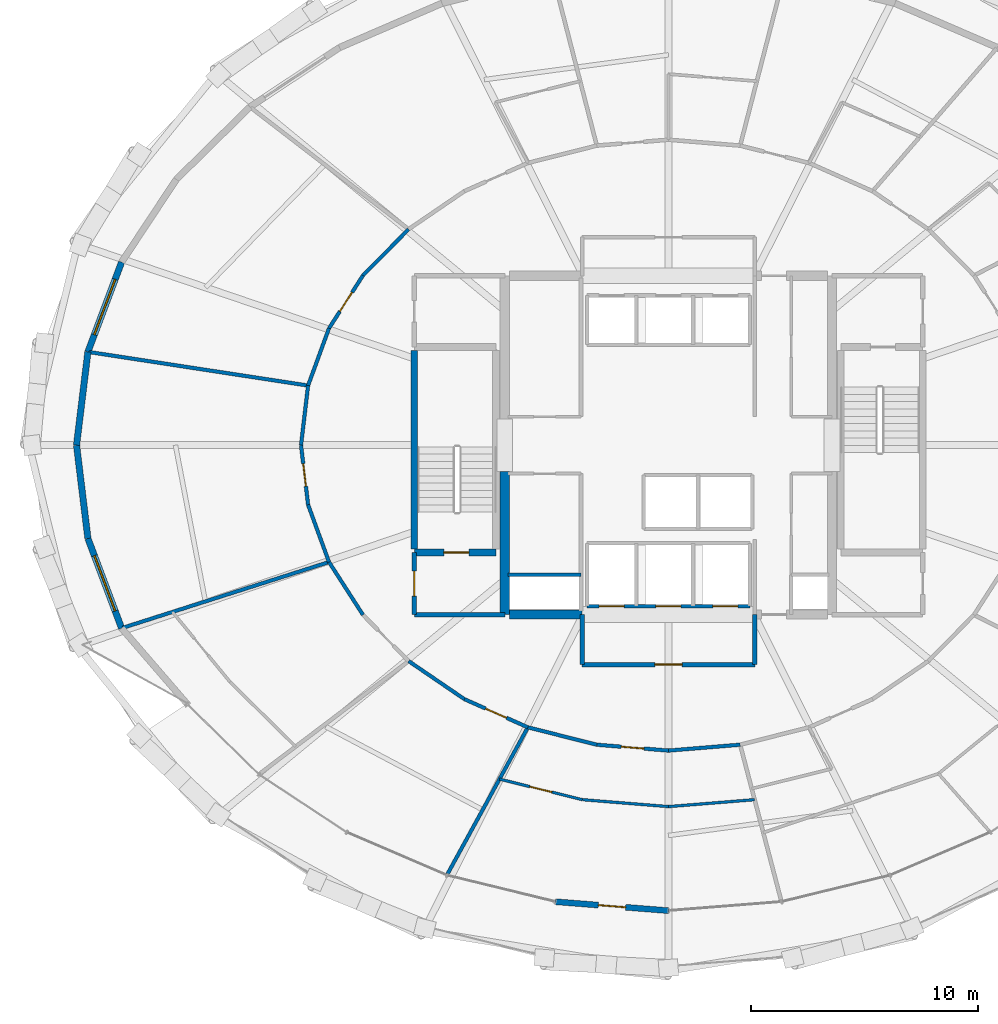
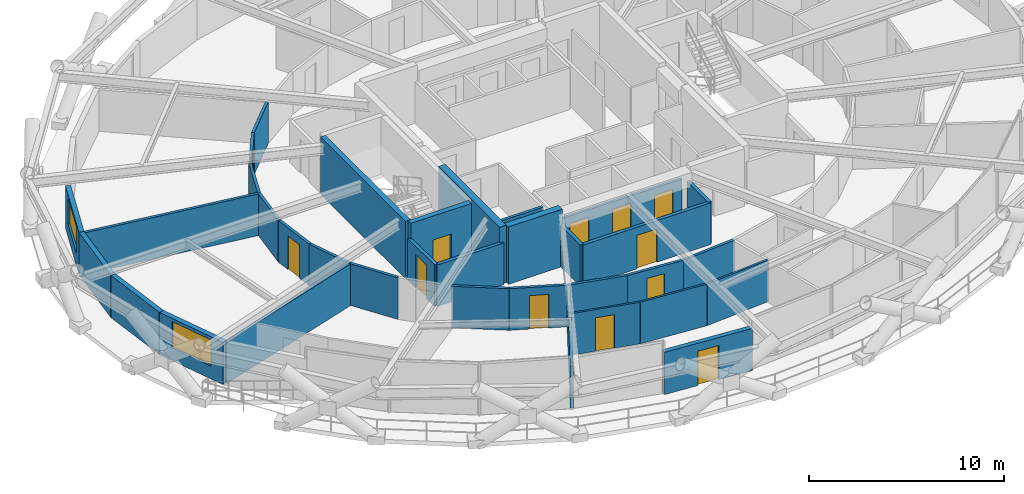
# One storey, part 12 of 18: 34 walls, 12 doors, 2 windows, 14 openings.
"""IFC4 building model written with IfcOpenShell, lengths in metres."""

from ifc_helpers import new_model, si_unit, direction, frame, frame_2d, origin, place, context, subcontext, project, spatial, rectangle, extrude, material, layer, layer_set, type_object, element, fill, save


model = new_model("IFC4")

# Units and contexts
model_context = context("Model", 3, precision=1e-05, world=origin(), true_north=direction((0.0, 1.0)))
body_context = subcontext(model_context, "Body", "Model", "MODEL_VIEW")
ifc_project = project(units=[si_unit("LENGTHUNIT", "METRE"), si_unit("AREAUNIT", "SQUARE_METRE"), si_unit("VOLUMEUNIT", "CUBIC_METRE"), si_unit("PLANEANGLEUNIT", "RADIAN"), si_unit("MASSUNIT", "GRAM", prefix="KILO")], contexts=[model_context])

# Site, building, storey
site_placement = place(None, origin())
site = spatial("IfcSite", under=ifc_project, at=site_placement, CompositionType="ELEMENT")
building_placement = place(site_placement, origin())
building = spatial("IfcBuilding", under=site, at=building_placement, Name="Veldorina Hangang Commons", CompositionType="ELEMENT")
storey_placement = place(building_placement, frame((0.0, 0.0, 41.199951171875)))
storey = spatial("IfcBuildingStorey", under=building, at=storey_placement, Name="L09", CompositionType="ELEMENT", Elevation=41.199951171875)

# Walls
ifc_material_1 = material(Name="Concrete C70/85", Category="concrete")
ifc_layer_1 = layer(ifc_material_1, 0.39990234375)
ifc_layer_set_1 = layer_set([ifc_layer_1], Name="Concrete C70/85")
wall_type_1 = type_object("IfcWallType", Name="CW-RC400-C70", PredefinedType="SHEAR", material=ifc_layer_set_1)
wall_1_placement = place(storey_placement, frame((24.800048828125, 16.550048828125, 0.0), z_axis=(0.0, 0.0, 1.0), x_axis=(0.0, 1.0, 0.0)))
element("IfcWall", 1, at=wall_1_placement, inside=storey, type_object=wall_type_1, Name="L09 W south core shear wall", PredefinedType="SHEAR", context=body_context, shape_type="SweptSolid", body=[
    extrude(rectangle(XDim=6.300048828125, YDim=0.39990234375, at=frame_2d((3.14990234375, 0.0))), origin(), (0.0, 0.0, 1.0), 3.60009765625),
])
wall_2_placement = place(storey_placement, frame((25.0, 16.550048828125, 0.0), z_axis=(0.0, 0.0, 1.0), x_axis=(1.0, 0.0, 0.0)))
element("IfcWall", 2, at=wall_2_placement, inside=storey, type_object=wall_type_1, Name="L09 south-west core shear wall", PredefinedType="SHEAR", context=body_context, shape_type="SweptSolid", body=[
    extrude(rectangle(XDim=3.199951171875, YDim=0.39990234375, at=frame_2d((1.60009765625, 0.0))), origin(), (0.0, 0.0, 1.0), 3.60009765625),
])

# Wall, opening, door
ifc_material_2 = material(Name="Stone Roman Travertine", Category="masonry")
ifc_layer_2 = layer(ifc_material_2, 0.260009765625)
ifc_layer_set_2 = layer_set([ifc_layer_2], Name="Stone Roman Travertine")
wall_type_2 = type_object("IfcWallType", Name="EW-LOGGIA-260", PredefinedType="STANDARD", material=ifc_layer_set_2)
wall_3_placement = place(storey_placement, frame((27.030029296875, 3.91796875, 0.0), z_axis=(0.0, 0.0, 1.0), x_axis=(0.996883267979, -0.078890747395, 0.0)))
wall_3 = element("IfcWall", 3, at=wall_3_placement, inside=storey, type_object=wall_type_2, Name="L09 sky-garden loggia portal wall 23", PredefinedType="STANDARD", context=body_context, shape_type="SweptSolid", body=[
    extrude(rectangle(XDim=4.985595703125, YDim=0.260009765625, at=frame_2d((2.49267578125, 0.0))), origin(), (0.0, 0.0, 1.0), 2.650146484375),
])
opening_1_placement = place(wall_3_placement, frame((1.892822265625, 0.0, 0.0)))
opening_1 = element("IfcOpeningElement", 4, at=opening_1_placement, cuts=wall_3, Name="Opening BD-1200", PredefinedType="OPENING", context=body_context, shape_type="SweptSolid", body=[
    extrude(rectangle(XDim=1.199951171875, YDim=2.14990234375, at=frame_2d((0.60009765625, 1.074951171875))), frame((0.0, 0.14013671875, 0.0), z_axis=(0.0, -1.0, 0.0), x_axis=(1.0, 0.0, 0.0)), (0.0, 0.0, 1.0), 0.280029296875),
])
ifc_material_3 = material(Name="Glass Thermal Aluminium Frame", Category="aluminium")
door_type_1 = type_object("IfcDoorType", Name="DR-EXT-LOG1200", OperationType="SINGLE_SWING_LEFT", PredefinedType="DOOR", material=ifc_material_3)
door_1_placement = place(opening_1_placement, origin())
door_1 = element("IfcDoor", 5, at=door_1_placement, inside=storey, type_object=door_type_1, Name="L09 loggia glazed exterior door 23", OperationType="SINGLE_SWING_RIGHT", OverallHeight=2.14990234375, OverallWidth=1.199951171875, PredefinedType="DOOR", context=body_context, shape_type="SweptSolid", body=[
    extrude(rectangle(XDim=1.199951171875, YDim=2.14990234375, at=frame_2d((0.60009765625, 1.074951171875))), frame((0.0, 0.02490234375, 0.0), z_axis=(0.0, -1.0, 0.0), x_axis=(1.0, 0.0, 0.0)), (0.0, 0.0, 1.0), 0.050048828125),
])
fill(opening_1, door_1)

# Wall, opening, window
ifc_layer_3 = layer(ifc_material_2, 0.280029296875)
ifc_layer_set_3 = layer_set([ifc_layer_3], Name="Stone Roman Travertine")
wall_type_3 = type_object("IfcWallType", Name="EW-TRAV-280", PredefinedType="STANDARD", material=ifc_layer_set_3)
wall_4_placement = place(storey_placement, frame((7.9462890625, 32.0498046875, 0.0), z_axis=(0.0, 0.0, 1.0), x_axis=(-0.351472537915, -0.936198192207, 0.0)))
wall_4 = element("IfcWall", 6, at=wall_4_placement, inside=storey, type_object=wall_type_3, Name="L09 travertine facade wall 14", PredefinedType="STANDARD", context=body_context, shape_type="SweptSolid", body=[
    extrude(rectangle(XDim=4.215087890625, YDim=0.280029296875, at=frame_2d((2.107421875, 0.0))), origin(), (0.0, 0.0, 1.0), 2.650146484375),
])
opening_2_placement = place(wall_4_placement, frame((0.8076171875, 0.0, 0.800048828125)))
opening_2 = element("IfcOpeningElement", 7, at=opening_2_placement, cuts=wall_4, Name="Opening W-02", PredefinedType="OPENING", context=body_context, shape_type="SweptSolid", body=[
    extrude(rectangle(XDim=2.60009765625, YDim=1.64990234375, at=frame_2d((1.300048828125, 0.824951171875))), frame((0.0, 0.14990234375, 0.0), z_axis=(0.0, -1.0, 0.0), x_axis=(1.0, 0.0, 0.0)), (0.0, 0.0, 1.0), 0.300048828125),
])
ifc_material_4 = material(Name="Glass Low-E Triple IGU", Category="glass")
window_type = type_object("IfcWindowType", Name="WIN-TWR-2600", PartitioningType="SINGLE_PANEL", PredefinedType="WINDOW", material=ifc_material_4)
window_1_placement = place(opening_2_placement, origin())
window_1 = element("IfcWindow", 8, at=window_1_placement, inside=storey, type_object=window_type, Name="L09 facade window 14", OverallHeight=1.64990234375, OverallWidth=2.60009765625, PartitioningType="SINGLE_PANEL", PredefinedType="WINDOW", context=body_context, shape_type="SweptSolid", body=[
    extrude(rectangle(XDim=2.60009765625, YDim=1.64990234375, at=frame_2d((1.300048828125, 0.824951171875))), frame((0.0, 0.030029296875, 0.0), z_axis=(0.0, -1.0, 0.0), x_axis=(1.0, 0.0, 0.0)), (0.0, 0.0, 1.0), 0.06005859375),
])
fill(opening_2, window_1)

# Walls
for number, where, z_axis, x_axis, name in (
    (9, (6.46484375, 28.103759765625, 0.0), (0.0, 0.0, 1.0), (-0.121003282019, -0.992652107105, 0.0), "L09 travertine facade wall 15"),
    (10, (5.964599609375, 24.0, 0.0), (0.0, 0.0, 1.0), (0.121003282019, -0.992652107105, 0.0), "L09 travertine facade wall 16"),
):
    element("IfcWall", number, at=place(storey_placement, frame(where, z_axis=z_axis, x_axis=x_axis)), inside=storey, type_object=wall_type_3, Name=name, PredefinedType="STANDARD", context=body_context, shape_type="SweptSolid", body=[
        extrude(rectangle(XDim=4.134033203125, YDim=0.280029296875, at=frame_2d((2.06689453125, 0.0))), origin(), (0.0, 0.0, 1.0), 2.650146484375),
    ])

# Wall, opening, window
wall_5_placement = place(storey_placement, frame((6.46484375, 19.896240234375, 0.0), z_axis=(0.0, 0.0, 1.0), x_axis=(0.351472537915, -0.936198192207, 0.0)))
wall_5 = element("IfcWall", 11, at=wall_5_placement, inside=storey, type_object=wall_type_3, Name="L09 travertine facade wall 17", PredefinedType="STANDARD", context=body_context, shape_type="SweptSolid", body=[
    extrude(rectangle(XDim=4.215087890625, YDim=0.280029296875, at=frame_2d((2.107421875, 0.0))), origin(), (0.0, 0.0, 1.0), 2.650146484375),
])
opening_3_placement = place(wall_5_placement, frame((0.8076171875, 0.0, 0.800048828125)))
opening_3 = element("IfcOpeningElement", 12, at=opening_3_placement, cuts=wall_5, Name="Opening W-02", PredefinedType="OPENING", context=body_context, shape_type="SweptSolid", body=[
    extrude(rectangle(XDim=2.60009765625, YDim=1.64990234375, at=frame_2d((1.300048828125, 0.824951171875))), frame((0.0, 0.14990234375, 0.0), z_axis=(0.0, -1.0, 0.0), x_axis=(1.0, 0.0, 0.0)), (0.0, 0.0, 1.0), 0.300048828125),
])
window_2_placement = place(opening_3_placement, origin())
window_2 = element("IfcWindow", 13, at=window_2_placement, inside=storey, type_object=window_type, Name="L09 facade window 17", OverallHeight=1.64990234375, OverallWidth=2.60009765625, PartitioningType="SINGLE_PANEL", PredefinedType="WINDOW", context=body_context, shape_type="SweptSolid", body=[
    extrude(rectangle(XDim=2.60009765625, YDim=1.64990234375, at=frame_2d((1.300048828125, 0.824951171875))), frame((0.0, 0.030029296875, 0.0), z_axis=(0.0, -1.0, 0.0), x_axis=(1.0, 0.0, 0.0)), (0.0, 0.0, 1.0), 0.06005859375),
])
fill(opening_3, window_2)

# Wall
ifc_material_5 = material(Name="Concrete C50/60", Category="concrete")
ifc_layer_4 = layer(ifc_material_5, 0.300048828125)
ifc_layer_set_4 = layer_set([ifc_layer_4], Name="Concrete C50/60")
wall_type_4 = type_object("IfcWallType", Name="SW-STAIR-300", PredefinedType="SHEAR", material=ifc_layer_set_4)
wall_6_placement = place(storey_placement, frame((20.820068359375, 19.429931640625, 0.0), z_axis=(0.0, 0.0, 1.0), x_axis=(0.0, 1.0, 0.0)))
element("IfcWall", 14, at=wall_6_placement, inside=storey, type_object=wall_type_4, Name="L09 ST1 outer stair shear wall", PredefinedType="SHEAR", context=body_context, shape_type="SweptSolid", body=[
    extrude(rectangle(XDim=8.739990234375, YDim=0.300048828125, at=frame_2d((4.3701171875, 0.0))), origin(), (0.0, 0.0, 1.0), 3.60009765625),
])

# Wall, opening, door
wall_7_placement = place(storey_placement, frame((20.820068359375, 19.280029296875, 0.0), z_axis=(0.0, 0.0, 1.0), x_axis=(1.0, 0.0, 0.0)))
wall_7 = element("IfcWall", 15, at=wall_7_placement, inside=storey, type_object=wall_type_4, Name="L09 ST1 south stair shear wall", PredefinedType="SHEAR", context=body_context, shape_type="SweptSolid", body=[
    extrude(rectangle(XDim=3.599853515625, YDim=0.300048828125, at=frame_2d((1.7998046875, 0.0))), origin(), (0.0, 0.0, 1.0), 3.60009765625),
])
opening_4_placement = place(wall_7_placement, frame((1.300048828125, 0.0, 0.0)))
opening_4 = element("IfcOpeningElement", 16, at=opening_4_placement, cuts=wall_7, Name="Opening D-08", PredefinedType="OPENING", context=body_context, shape_type="SweptSolid", body=[
    extrude(rectangle(XDim=1.10009765625, YDim=2.10009765625, at=frame_2d((0.550048828125, 1.050048828125))), frame((0.0, 0.16015625, 0.0), z_axis=(0.0, -1.0, 0.0), x_axis=(1.0, 0.0, 0.0)), (0.0, 0.0, 1.0), 0.320068359375),
])
ifc_material_6 = material(Name="Steel Fire-Rated Smoke Seal", Category="steel")
door_type_2 = type_object("IfcDoorType", Name="DR-FIRE-1100", OperationType="SINGLE_SWING_RIGHT", PredefinedType="DOOR", material=ifc_material_6)
door_2_placement = place(opening_4_placement, origin())
door_2 = element("IfcDoor", 17, at=door_2_placement, inside=storey, type_object=door_type_2, Name="L09 Special Escape Stair ST-1 door", OperationType="SINGLE_SWING_LEFT", OverallHeight=2.10009765625, OverallWidth=1.10009765625, PredefinedType="DOOR", context=body_context, shape_type="SweptSolid", body=[
    extrude(rectangle(XDim=1.10009765625, YDim=2.10009765625, at=frame_2d((0.550048828125, 1.050048828125))), frame((0.0, 0.02490234375, 0.0), z_axis=(0.0, -1.0, 0.0), x_axis=(1.0, 0.0, 0.0)), (0.0, 0.0, 1.0), 0.050048828125),
])
fill(opening_4, door_2)

# Wall, openings, doors
ifc_material_7 = material(Name="Gypsum Fire-Rated Twin Stud Wall", Category="gypsum")
ifc_layer_5 = layer(ifc_material_7, 0.159912109375)
ifc_layer_set_5 = layer_set([ifc_layer_5], Name="Gypsum Fire-Rated Twin Stud Wall")
wall_type_5 = type_object("IfcWallType", Name="WL-FIRE-160", PredefinedType="SOLIDWALL", material=ifc_layer_set_5)
wall_8_placement = place(storey_placement, frame((28.419921875, 16.919921875, 0.0), z_axis=(0.0, 0.0, 1.0), x_axis=(1.0, 0.0, 0.0)))
wall_8 = element("IfcWall", 18, at=wall_8_placement, inside=storey, type_object=wall_type_5, Name="L09 Emergency front shaft wall 026", PredefinedType="SOLIDWALL", context=body_context, shape_type="SweptSolid", body=[
    extrude(rectangle(XDim=7.16015625, YDim=0.159912109375, at=frame_2d((3.580078125, 0.0))), origin(), (0.0, 0.0, 1.0), 2.610107421875),
])
opening_5_placement = place(wall_8_placement, frame((0.530029296875, 0.0, 0.0)))
opening_5 = element("IfcOpeningElement", 19, at=opening_5_placement, cuts=wall_8, Name="Opening LD-03", PredefinedType="OPENING", context=body_context, shape_type="SweptSolid", body=[
    extrude(rectangle(XDim=1.10009765625, YDim=2.14990234375, at=frame_2d((0.550048828125, 1.074951171875))), frame((0.0, 0.08984375, 0.0), z_axis=(0.0, -1.0, 0.0), x_axis=(1.0, 0.0, 0.0)), (0.0, 0.0, 1.0), 0.179931640625),
])
opening_6_placement = place(wall_8_placement, frame((3.030029296875, 0.0, 0.0)))
opening_6 = element("IfcOpeningElement", 20, at=opening_6_placement, cuts=wall_8, Name="Opening LD-03", PredefinedType="OPENING", context=body_context, shape_type="SweptSolid", body=[
    extrude(rectangle(XDim=1.10009765625, YDim=2.14990234375, at=frame_2d((0.550048828125, 1.074951171875))), frame((0.0, 0.08984375, 0.0), z_axis=(0.0, -1.0, 0.0), x_axis=(1.0, 0.0, 0.0)), (0.0, 0.0, 1.0), 0.179931640625),
])
opening_7_placement = place(wall_8_placement, frame((5.530029296875, 0.0, 0.0)))
opening_7 = element("IfcOpeningElement", 21, at=opening_7_placement, cuts=wall_8, Name="Opening LD-03", PredefinedType="OPENING", context=body_context, shape_type="SweptSolid", body=[
    extrude(rectangle(XDim=1.10009765625, YDim=2.14990234375, at=frame_2d((0.550048828125, 1.074951171875))), frame((0.0, 0.08984375, 0.0), z_axis=(0.0, -1.0, 0.0), x_axis=(1.0, 0.0, 0.0)), (0.0, 0.0, 1.0), 0.179931640625),
])
ifc_material_8 = material(Name="Stainless Steel Firefighting Lift Door", Category="steel")
door_type_3 = type_object("IfcDoorType", Name="DR-LIFT-FF1100", OperationType="SLIDING_TO_RIGHT", PredefinedType="DOOR", material=ifc_material_8)
door_3_placement = place(opening_5_placement, origin())
door_3 = element("IfcDoor", 22, at=door_3_placement, inside=storey, type_object=door_type_3, Name="L09 Emergency lift FFL-1 landing door 009", OperationType="SLIDING_TO_RIGHT", OverallHeight=2.14990234375, OverallWidth=1.10009765625, PredefinedType="DOOR", context=body_context, shape_type="SweptSolid", body=[
    extrude(rectangle(XDim=1.10009765625, YDim=2.14990234375, at=frame_2d((0.550048828125, 1.074951171875))), frame((0.0, 0.02490234375, 0.0), z_axis=(0.0, -1.0, 0.0), x_axis=(1.0, 0.0, 0.0)), (0.0, 0.0, 1.0), 0.050048828125),
])
fill(opening_5, door_3)
door_4_placement = place(opening_6_placement, origin())
door_4 = element("IfcDoor", 23, at=door_4_placement, inside=storey, type_object=door_type_3, Name="L09 Emergency lift FFL-2 landing door 010", OperationType="SLIDING_TO_RIGHT", OverallHeight=2.14990234375, OverallWidth=1.10009765625, PredefinedType="DOOR", context=body_context, shape_type="SweptSolid", body=[
    extrude(rectangle(XDim=1.10009765625, YDim=2.14990234375, at=frame_2d((0.550048828125, 1.074951171875))), frame((0.0, 0.02490234375, 0.0), z_axis=(0.0, -1.0, 0.0), x_axis=(1.0, 0.0, 0.0)), (0.0, 0.0, 1.0), 0.050048828125),
])
fill(opening_6, door_4)
door_5_placement = place(opening_7_placement, origin())
door_5 = element("IfcDoor", 24, at=door_5_placement, inside=storey, type_object=door_type_3, Name="L09 Emergency lift EVL-1 landing door 011", OperationType="SLIDING_TO_RIGHT", OverallHeight=2.14990234375, OverallWidth=1.10009765625, PredefinedType="DOOR", context=body_context, shape_type="SweptSolid", body=[
    extrude(rectangle(XDim=1.10009765625, YDim=2.14990234375, at=frame_2d((0.550048828125, 1.074951171875))), frame((0.0, 0.02490234375, 0.0), z_axis=(0.0, -1.0, 0.0), x_axis=(1.0, 0.0, 0.0)), (0.0, 0.0, 1.0), 0.050048828125),
])
fill(opening_7, door_5)

# Walls
wall_9_placement = place(storey_placement, frame((24.949951171875, 18.300048828125, 0.0), z_axis=(0.0, 0.0, 1.0), x_axis=(1.0, 0.0, 0.0)))
element("IfcWall", 25, at=wall_9_placement, inside=storey, type_object=wall_type_5, Name="L09 Electrical riser wall 035", PredefinedType="SOLIDWALL", context=body_context, shape_type="SweptSolid", body=[
    extrude(rectangle(XDim=3.199951171875, YDim=0.159912109375, at=frame_2d((1.60009765625, 0.0))), origin(), (0.0, 0.0, 1.0), 2.610107421875),
])
wall_10_placement = place(storey_placement, frame((20.57177734375, 33.499267578125, 0.0), z_axis=(0.0, 0.0, 1.0), x_axis=(-0.702569520063, -0.711615113301, 0.0)))
element("IfcWall", 26, at=wall_10_placement, inside=storey, type_object=wall_type_5, Name="L09 Corridor outer wall 12 057", PredefinedType="SOLIDWALL", context=body_context, shape_type="SweptSolid", body=[
    extrude(rectangle(XDim=2.86083984375, YDim=0.159912109375, at=frame_2d((1.430419921875, 0.0))), origin(), (0.0, 0.0, 1.0), 2.610107421875),
])

# Wall, opening, door
wall_11_placement = place(storey_placement, frame((18.561767578125, 31.46337890625, 0.0), z_axis=(0.0, 0.0, 1.0), x_axis=(-0.540891657444, -0.841092274907, 0.0)))
wall_11 = element("IfcWall", 27, at=wall_11_placement, inside=storey, type_object=wall_type_5, Name="L09 Corridor outer wall 13 058", PredefinedType="SOLIDWALL", context=body_context, shape_type="SweptSolid", body=[
    extrude(rectangle(XDim=2.760986328125, YDim=0.159912109375, at=frame_2d((1.38037109375, 0.0))), origin(), (0.0, 0.0, 1.0), 2.610107421875),
])
opening_8_placement = place(wall_11_placement, frame((0.880615234375, 0.0, 0.0)))
opening_8 = element("IfcOpeningElement", 28, at=opening_8_placement, cuts=wall_11, Name="Opening D-05", PredefinedType="OPENING", context=body_context, shape_type="SweptSolid", body=[
    extrude(rectangle(XDim=1.0, YDim=2.10009765625, at=frame_2d((0.5, 1.050048828125))), frame((0.0, 0.08984375, 0.0), z_axis=(0.0, -1.0, 0.0), x_axis=(1.0, 0.0, 0.0)), (0.0, 0.0, 1.0), 0.179931640625),
])
ifc_material_9 = material(Name="Timber Solid Core Acoustic", Category="wood")
door_type_4 = type_object("IfcDoorType", Name="DR-INT-1000", OperationType="SINGLE_SWING_RIGHT", PredefinedType="DOOR", material=ifc_material_9)
door_6_placement = place(opening_8_placement, origin())
door_6 = element("IfcDoor", 29, at=door_6_placement, inside=storey, type_object=door_type_4, Name="L09 Floor Study Room 10 door 037", OperationType="SINGLE_SWING_LEFT", OverallHeight=2.10009765625, OverallWidth=1.0, PredefinedType="DOOR", context=body_context, shape_type="SweptSolid", body=[
    extrude(rectangle(XDim=1.0, YDim=2.10009765625, at=frame_2d((0.5, 1.050048828125))), frame((0.0, 0.02490234375, 0.0), z_axis=(0.0, -1.0, 0.0), x_axis=(1.0, 0.0, 0.0)), (0.0, 0.0, 1.0), 0.050048828125),
])
fill(opening_8, door_6)

# Walls
wall_12_placement = place(storey_placement, frame((17.068359375, 29.14111328125, 0.0), z_axis=(0.0, 0.0, 1.0), x_axis=(-0.342882618672, -0.939378257047, 0.0)))
element("IfcWall", 30, at=wall_12_placement, inside=storey, type_object=wall_type_5, Name="L09 Corridor outer wall 14 059", PredefinedType="SOLIDWALL", context=body_context, shape_type="SweptSolid", body=[
    extrude(rectangle(XDim=2.682861328125, YDim=0.159912109375, at=frame_2d((1.34130859375, 0.0))), origin(), (0.0, 0.0, 1.0), 2.610107421875),
])
wall_13_placement = place(storey_placement, frame((16.1484375, 26.620849609375, 0.0), z_axis=(0.0, 0.0, 1.0), x_axis=(-0.117667763342, -0.993053018459, 0.0)))
element("IfcWall", 31, at=wall_13_placement, inside=storey, type_object=wall_type_5, Name="L09 Corridor outer wall 15 060", PredefinedType="SOLIDWALL", context=body_context, shape_type="SweptSolid", body=[
    extrude(rectangle(XDim=2.63916015625, YDim=0.159912109375, at=frame_2d((1.319580078125, 0.0))), origin(), (0.0, 0.0, 1.0), 2.610107421875),
])

# Wall, opening, door
wall_14_placement = place(storey_placement, frame((15.837890625, 24.0, 0.0), z_axis=(0.0, 0.0, 1.0), x_axis=(0.117667763342, -0.993053018459, 0.0)))
wall_14 = element("IfcWall", 32, at=wall_14_placement, inside=storey, type_object=wall_type_5, Name="L09 Corridor outer wall 16 061", PredefinedType="SOLIDWALL", context=body_context, shape_type="SweptSolid", body=[
    extrude(rectangle(XDim=2.63916015625, YDim=0.159912109375, at=frame_2d((1.319580078125, 0.0))), origin(), (0.0, 0.0, 1.0), 2.610107421875),
])
opening_9_placement = place(wall_14_placement, frame((0.819580078125, 0.0, 0.0)))
opening_9 = element("IfcOpeningElement", 33, at=opening_9_placement, cuts=wall_14, Name="Opening D-05", PredefinedType="OPENING", context=body_context, shape_type="SweptSolid", body=[
    extrude(rectangle(XDim=1.0, YDim=2.10009765625, at=frame_2d((0.5, 1.050048828125))), frame((0.0, 0.08984375, 0.0), z_axis=(0.0, -1.0, 0.0), x_axis=(1.0, 0.0, 0.0)), (0.0, 0.0, 1.0), 0.179931640625),
])
door_7_placement = place(opening_9_placement, origin())
door_7 = element("IfcDoor", 34, at=door_7_placement, inside=storey, type_object=door_type_4, Name="L09 Floor Study Room 11 door 038", OperationType="SINGLE_SWING_RIGHT", OverallHeight=2.10009765625, OverallWidth=1.0, PredefinedType="DOOR", context=body_context, shape_type="SweptSolid", body=[
    extrude(rectangle(XDim=1.0, YDim=2.10009765625, at=frame_2d((0.5, 1.050048828125))), frame((0.0, 0.02490234375, 0.0), z_axis=(0.0, -1.0, 0.0), x_axis=(1.0, 0.0, 0.0)), (0.0, 0.0, 1.0), 0.050048828125),
])
fill(opening_9, door_7)

# Walls
wall_15_placement = place(storey_placement, frame((16.1484375, 21.379150390625, 0.0), z_axis=(0.0, 0.0, 1.0), x_axis=(0.342882618672, -0.939378257047, 0.0)))
element("IfcWall", 35, at=wall_15_placement, inside=storey, type_object=wall_type_5, Name="L09 Corridor outer wall 17 062", PredefinedType="SOLIDWALL", context=body_context, shape_type="SweptSolid", body=[
    extrude(rectangle(XDim=2.682861328125, YDim=0.159912109375, at=frame_2d((1.34130859375, 0.0))), origin(), (0.0, 0.0, 1.0), 2.610107421875),
])
wall_16_placement = place(storey_placement, frame((17.068359375, 18.85888671875, 0.0), z_axis=(0.0, 0.0, 1.0), x_axis=(0.540891657444, -0.841092274907, 0.0)))
element("IfcWall", 36, at=wall_16_placement, inside=storey, type_object=wall_type_5, Name="L09 Corridor outer wall 18 063", PredefinedType="SOLIDWALL", context=body_context, shape_type="SweptSolid", body=[
    extrude(rectangle(XDim=2.760986328125, YDim=0.159912109375, at=frame_2d((1.38037109375, 0.0))), origin(), (0.0, 0.0, 1.0), 2.610107421875),
])
wall_17_placement = place(storey_placement, frame((20.57177734375, 14.500732421875, 0.0), z_axis=(0.0, 0.0, 1.0), x_axis=(0.826112340767, -0.563505457323, 0.0)))
element("IfcWall", 37, at=wall_17_placement, inside=storey, type_object=wall_type_5, Name="L09 Corridor outer wall 20 065", PredefinedType="SOLIDWALL", context=body_context, shape_type="SweptSolid", body=[
    extrude(rectangle(XDim=2.96484375, YDim=0.159912109375, at=frame_2d((1.482421875, 0.0))), origin(), (0.0, 0.0, 1.0), 2.610107421875),
])

# Wall, opening, door
wall_18_placement = place(storey_placement, frame((23.02099609375, 12.830078125, 0.0), z_axis=(0.0, 0.0, 1.0), x_axis=(0.913860932409, -0.406027334321, 0.0)))
wall_18 = element("IfcWall", 38, at=wall_18_placement, inside=storey, type_object=wall_type_5, Name="L09 Corridor outer wall 21 066", PredefinedType="SOLIDWALL", context=body_context, shape_type="SweptSolid", body=[
    extrude(rectangle(XDim=3.0576171875, YDim=0.159912109375, at=frame_2d((1.52880859375, 0.0))), origin(), (0.0, 0.0, 1.0), 2.610107421875),
])
opening_10_placement = place(wall_18_placement, frame((1.02880859375, 0.0, 0.0)))
opening_10 = element("IfcOpeningElement", 39, at=opening_10_placement, cuts=wall_18, Name="Opening D-05", PredefinedType="OPENING", context=body_context, shape_type="SweptSolid", body=[
    extrude(rectangle(XDim=1.0, YDim=2.10009765625, at=frame_2d((0.5, 1.050048828125))), frame((0.0, 0.08984375, 0.0), z_axis=(0.0, -1.0, 0.0), x_axis=(1.0, 0.0, 0.0)), (0.0, 0.0, 1.0), 0.179931640625),
])
door_8_placement = place(opening_10_placement, origin())
door_8 = element("IfcDoor", 40, at=door_8_placement, inside=storey, type_object=door_type_4, Name="L09 Seminar Focus Room 13 door 041", OperationType="SINGLE_SWING_LEFT", OverallHeight=2.10009765625, OverallWidth=1.0, PredefinedType="DOOR", context=body_context, shape_type="SweptSolid", body=[
    extrude(rectangle(XDim=1.0, YDim=2.10009765625, at=frame_2d((0.5, 1.050048828125))), frame((0.0, 0.02490234375, 0.0), z_axis=(0.0, -1.0, 0.0), x_axis=(1.0, 0.0, 0.0)), (0.0, 0.0, 1.0), 0.050048828125),
])
fill(opening_10, door_8)

# Wall
wall_19_placement = place(storey_placement, frame((25.815185546875, 11.588623046875, 0.0), z_axis=(0.0, 0.0, 1.0), x_axis=(0.969653665365, -0.244482656326, 0.0)))
element("IfcWall", 41, at=wall_19_placement, inside=storey, type_object=wall_type_5, Name="L09 Corridor outer wall 22 067", PredefinedType="SOLIDWALL", context=body_context, shape_type="SweptSolid", body=[
    extrude(rectangle(XDim=3.126708984375, YDim=0.159912109375, at=frame_2d((1.5634765625, 0.0))), origin(), (0.0, 0.0, 1.0), 2.610107421875),
])

# Wall, opening, door
wall_20_placement = place(storey_placement, frame((28.846923828125, 10.82421875, 0.0), z_axis=(0.0, 0.0, 1.0), x_axis=(0.996661331307, -0.081646743207, 0.0)))
wall_20 = element("IfcWall", 42, at=wall_20_placement, inside=storey, type_object=wall_type_5, Name="L09 Corridor outer wall 23 068", PredefinedType="SOLIDWALL", context=body_context, shape_type="SweptSolid", body=[
    extrude(rectangle(XDim=3.16357421875, YDim=0.159912109375, at=frame_2d((1.581787109375, 0.0))), origin(), (0.0, 0.0, 1.0), 2.610107421875),
])
opening_11_placement = place(wall_20_placement, frame((1.081787109375, 0.0, 0.0)))
opening_11 = element("IfcOpeningElement", 43, at=opening_11_placement, cuts=wall_20, Name="Opening D-05", PredefinedType="OPENING", context=body_context, shape_type="SweptSolid", body=[
    extrude(rectangle(XDim=1.0, YDim=2.10009765625, at=frame_2d((0.5, 1.050048828125))), frame((0.0, 0.08984375, 0.0), z_axis=(0.0, -1.0, 0.0), x_axis=(1.0, 0.0, 0.0)), (0.0, 0.0, 1.0), 0.179931640625),
])
door_9_placement = place(opening_11_placement, origin())
door_9 = element("IfcDoor", 44, at=door_9_placement, inside=storey, type_object=door_type_4, Name="L09 Commons alcove door 017", OperationType="SINGLE_SWING_LEFT", OverallHeight=2.10009765625, OverallWidth=1.0, PredefinedType="DOOR", context=body_context, shape_type="SweptSolid", body=[
    extrude(rectangle(XDim=1.0, YDim=2.10009765625, at=frame_2d((0.5, 1.050048828125))), frame((0.0, 0.02490234375, 0.0), z_axis=(0.0, -1.0, 0.0), x_axis=(1.0, 0.0, 0.0)), (0.0, 0.0, 1.0), 0.050048828125),
])
fill(opening_11, door_9)

# Walls
wall_21_placement = place(storey_placement, frame((32.0, 10.56591796875, 0.0), z_axis=(0.0, 0.0, 1.0), x_axis=(0.996661331307, 0.081646743207, 0.0)))
element("IfcWall", 45, at=wall_21_placement, inside=storey, type_object=wall_type_5, Name="L09 Corridor outer wall 24 069", PredefinedType="SOLIDWALL", context=body_context, shape_type="SweptSolid", body=[
    extrude(rectangle(XDim=3.16357421875, YDim=0.159912109375, at=frame_2d((1.581787109375, 0.0))), origin(), (0.0, 0.0, 1.0), 2.610107421875),
])
wall_22_placement = place(storey_placement, frame((25.815185546875, 11.588623046875, 0.0), z_axis=(0.0, 0.0, 1.0), x_axis=(-0.48051126166, -0.876988556036, 0.0)))
element("IfcWall", 46, at=wall_22_placement, inside=storey, type_object=wall_type_5, Name="L09 Unit party wall 22 077", PredefinedType="SOLIDWALL", context=body_context, shape_type="SweptSolid", body=[
    extrude(rectangle(XDim=7.36767578125, YDim=0.159912109375, at=frame_2d((3.683837890625, 0.0))), origin(), (0.0, 0.0, 1.0), 2.610107421875),
])
wall_23_placement = place(storey_placement, frame((16.1484375, 26.620849609375, 0.0), z_axis=(0.0, 0.0, 1.0), x_axis=(-0.988476582303, 0.151373862468, 0.0)))
element("IfcWall", 47, at=wall_23_placement, inside=storey, type_object=wall_type_5, Name="L09 Unit party wall 15 109", PredefinedType="SOLIDWALL", context=body_context, shape_type="SweptSolid", body=[
    extrude(rectangle(XDim=9.746337890625, YDim=0.159912109375, at=frame_2d((4.873046875, 0.0))), origin(), (0.0, 0.0, 1.0), 2.610107421875),
])
wall_24_placement = place(storey_placement, frame((17.068359375, 18.85888671875, 0.0), z_axis=(0.0, 0.0, 1.0), x_axis=(-0.952736741366, -0.303797138978, 0.0)))
element("IfcWall", 48, at=wall_24_placement, inside=storey, type_object=wall_type_5, Name="L09 Unit party wall 18 110", PredefinedType="SOLIDWALL", context=body_context, shape_type="SweptSolid", body=[
    extrude(rectangle(XDim=9.524658203125, YDim=0.159912109375, at=frame_2d((4.76220703125, 0.0))), origin(), (0.0, 0.0, 1.0), 2.610107421875),
])

# Wall, opening, door
ifc_material_10 = material(Name="Concrete Blockwork Fire Wall C30/37", Category="masonry")
ifc_layer_6 = layer(ifc_material_10, 0.199951171875)
ifc_layer_set_6 = layer_set([ifc_layer_6], Name="Concrete Blockwork Fire Wall C30/37")
wall_type_6 = type_object("IfcWallType", Name="WL-FIRE-200", PredefinedType="SOLIDWALL", material=ifc_layer_set_6)
wall_25_placement = place(storey_placement, frame((20.820068359375, 16.550048828125, 0.0), z_axis=(0.0, 0.0, 1.0), x_axis=(0.0, 1.0, 0.0)))
wall_25 = element("IfcWall", 49, at=wall_25_placement, inside=storey, type_object=wall_type_6, Name="L09 West vestibule outer wall 001", PredefinedType="SOLIDWALL", context=body_context, shape_type="SweptSolid", body=[
    extrude(rectangle(XDim=2.72998046875, YDim=0.199951171875, at=frame_2d((1.364990234375, 0.0))), origin(), (0.0, 0.0, 1.0), 2.610107421875),
])
opening_12_placement = place(wall_25_placement, frame((0.81494140625, 0.0, 0.0)))
opening_12 = element("IfcOpeningElement", 50, at=opening_12_placement, cuts=wall_25, Name="Opening D-08", PredefinedType="OPENING", context=body_context, shape_type="SweptSolid", body=[
    extrude(rectangle(XDim=1.10009765625, YDim=2.10009765625, at=frame_2d((0.550048828125, 1.050048828125))), frame((0.0, 0.10986328125, 0.0), z_axis=(0.0, -1.0, 0.0), x_axis=(1.0, 0.0, 0.0)), (0.0, 0.0, 1.0), 0.219970703125),
])
door_10_placement = place(opening_12_placement, origin())
door_10 = element("IfcDoor", 51, at=door_10_placement, inside=storey, type_object=door_type_2, Name="L09 West vestibule west door 001", OperationType="SINGLE_SWING_LEFT", OverallHeight=2.10009765625, OverallWidth=1.10009765625, PredefinedType="DOOR", context=body_context, shape_type="SweptSolid", body=[
    extrude(rectangle(XDim=1.10009765625, YDim=2.10009765625, at=frame_2d((0.550048828125, 1.050048828125))), frame((0.0, 0.02490234375, 0.0), z_axis=(0.0, -1.0, 0.0), x_axis=(1.0, 0.0, 0.0)), (0.0, 0.0, 1.0), 0.050048828125),
])
fill(opening_12, door_10)

# Walls
wall_26_placement = place(storey_placement, frame((20.820068359375, 16.550048828125, 0.0), z_axis=(0.0, 0.0, 1.0), x_axis=(1.0, 0.0, 0.0)))
element("IfcWall", 52, at=wall_26_placement, inside=storey, type_object=wall_type_6, Name="L09 West vestibule south wall 002", PredefinedType="SOLIDWALL", context=body_context, shape_type="SweptSolid", body=[
    extrude(rectangle(XDim=3.97998046875, YDim=0.199951171875, at=frame_2d((1.989990234375, 0.0))), origin(), (0.0, 0.0, 1.0), 2.610107421875),
])
for number, where, z_axis, x_axis, name in (
    (53, (28.199951171875, 14.35009765625, 0.0), (0.0, 0.0, 1.0), (0.0, 1.0, 0.0), "L09 FF lobby west wall 012"),
    (54, (35.800048828125, 14.35009765625, 0.0), (0.0, 0.0, 1.0), (0.0, 1.0, 0.0), "L09 FF lobby east wall 013"),
):
    element("IfcWall", number, at=place(storey_placement, frame(where, z_axis=z_axis, x_axis=x_axis)), inside=storey, type_object=wall_type_6, Name=name, PredefinedType="SOLIDWALL", context=body_context, shape_type="SweptSolid", body=[
        extrude(rectangle(XDim=2.199951171875, YDim=0.199951171875, at=frame_2d((1.10009765625, 0.0))), origin(), (0.0, 0.0, 1.0), 2.610107421875),
    ])

# Wall, opening, door
wall_27_placement = place(storey_placement, frame((28.199951171875, 14.35009765625, 0.0), z_axis=(0.0, 0.0, 1.0), x_axis=(1.0, 0.0, 0.0)))
wall_27 = element("IfcWall", 55, at=wall_27_placement, inside=storey, type_object=wall_type_6, Name="L09 FF lobby south wall 014", PredefinedType="SOLIDWALL", context=body_context, shape_type="SweptSolid", body=[
    extrude(rectangle(XDim=7.60009765625, YDim=0.199951171875, at=frame_2d((3.800048828125, 0.0))), origin(), (0.0, 0.0, 1.0), 2.610107421875),
])
opening_13_placement = place(wall_27_placement, frame((3.199951171875, 0.0, 0.0)))
opening_13 = element("IfcOpeningElement", 56, at=opening_13_placement, cuts=wall_27, Name="Opening D-09", PredefinedType="OPENING", context=body_context, shape_type="SweptSolid", body=[
    extrude(rectangle(XDim=1.199951171875, YDim=2.10009765625, at=frame_2d((0.60009765625, 1.050048828125))), frame((0.0, 0.10986328125, 0.0), z_axis=(0.0, -1.0, 0.0), x_axis=(1.0, 0.0, 0.0)), (0.0, 0.0, 1.0), 0.219970703125),
])
ifc_material_11 = material(Name="Steel Fire-Rated Corridor Door", Category="steel")
door_type_5 = type_object("IfcDoorType", Name="DR-FIRE-1200", OperationType="SINGLE_SWING_LEFT", PredefinedType="DOOR", material=ifc_material_11)
door_11_placement = place(opening_13_placement, origin())
door_11 = element("IfcDoor", 57, at=door_11_placement, inside=storey, type_object=door_type_5, Name="L09 FF lobby south corridor door 005", OperationType="SINGLE_SWING_LEFT", OverallHeight=2.10009765625, OverallWidth=1.199951171875, PredefinedType="DOOR", context=body_context, shape_type="SweptSolid", body=[
    extrude(rectangle(XDim=1.199951171875, YDim=2.10009765625, at=frame_2d((0.60009765625, 1.050048828125))), frame((0.0, 0.02490234375, 0.0), z_axis=(0.0, -1.0, 0.0), x_axis=(1.0, 0.0, 0.0)), (0.0, 0.0, 1.0), 0.050048828125),
])
fill(opening_13, door_11)

ifc_material_12 = material(Name="Gypsum Acoustic Stud Partition", Category="gypsum")
ifc_layer_7 = layer(ifc_material_12, 0.1201171875)
ifc_layer_set_7 = layer_set([ifc_layer_7], Name="Gypsum Acoustic Stud Partition")
wall_type_7 = type_object("IfcWallType", Name="WL-PART-120", PredefinedType="PARTITIONING", material=ifc_layer_set_7)
wall_28_placement = place(storey_placement, frame((24.567626953125, 9.311767578125, 0.0), z_axis=(0.0, 0.0, 1.0), x_axis=(0.970523829208, -0.241005180317, 0.0)))
wall_28 = element("IfcWall", 58, at=wall_28_placement, inside=storey, type_object=wall_type_7, Name="L09 Lounge alcove split 0 078", PredefinedType="PARTITIONING", context=body_context, shape_type="SweptSolid", body=[
    extrude(rectangle(XDim=3.754150390625, YDim=0.1201171875, at=frame_2d((1.876953125, 0.0))), origin(), (0.0, 0.0, 1.0), 2.610107421875),
])
opening_14_placement = place(wall_28_placement, frame((1.376953125, 0.0, 0.0)))
opening_14 = element("IfcOpeningElement", 59, at=opening_14_placement, cuts=wall_28, Name="Opening D-05", PredefinedType="OPENING", context=body_context, shape_type="SweptSolid", body=[
    extrude(rectangle(XDim=1.0, YDim=2.10009765625, at=frame_2d((0.5, 1.050048828125))), frame((0.0, 0.070068359375, 0.0), z_axis=(0.0, -1.0, 0.0), x_axis=(1.0, 0.0, 0.0)), (0.0, 0.0, 1.0), 0.14013671875),
])
door_12_placement = place(opening_14_placement, origin())
door_12 = element("IfcDoor", 60, at=door_12_placement, inside=storey, type_object=door_type_4, Name="L09 Commons lounge door 018", OperationType="SINGLE_SWING_RIGHT", OverallHeight=2.10009765625, OverallWidth=1.0, PredefinedType="DOOR", context=body_context, shape_type="SweptSolid", body=[
    extrude(rectangle(XDim=1.0, YDim=2.10009765625, at=frame_2d((0.5, 1.050048828125))), frame((0.0, 0.02490234375, 0.0), z_axis=(0.0, -1.0, 0.0), x_axis=(1.0, 0.0, 0.0)), (0.0, 0.0, 1.0), 0.050048828125),
])
fill(opening_14, door_12)

# Walls
for number, where, z_axis, x_axis, name in (
    (61, (28.211181640625, 8.406982421875, 0.0), (0.0, 0.0, 1.0), (0.996766693578, -0.080350224477, 0.0), "L09 Lounge alcove split 1 079"),
    (62, (32.0, 8.1015625, 0.0), (0.0, 0.0, 1.0), (0.996766693578, 0.080350224477, 0.0), "L09 Lounge alcove split 2 080"),
):
    element("IfcWall", number, at=place(storey_placement, frame(where, z_axis=z_axis, x_axis=x_axis)), inside=storey, type_object=wall_type_7, Name=name, PredefinedType="PARTITIONING", context=body_context, shape_type="SweptSolid", body=[
        extrude(rectangle(XDim=3.801025390625, YDim=0.1201171875, at=frame_2d((1.900390625, 0.0))), origin(), (0.0, 0.0, 1.0), 2.610107421875),
    ])

save(model, "model.ifc")
